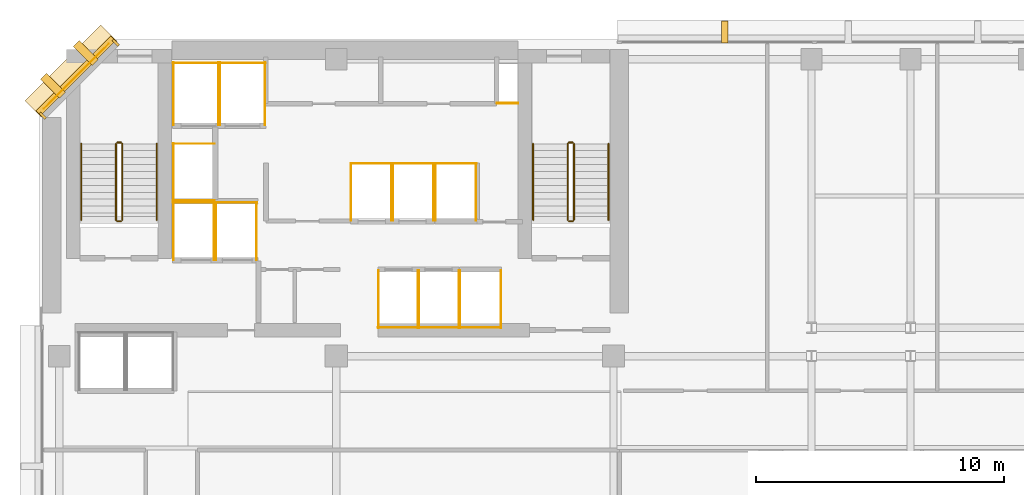
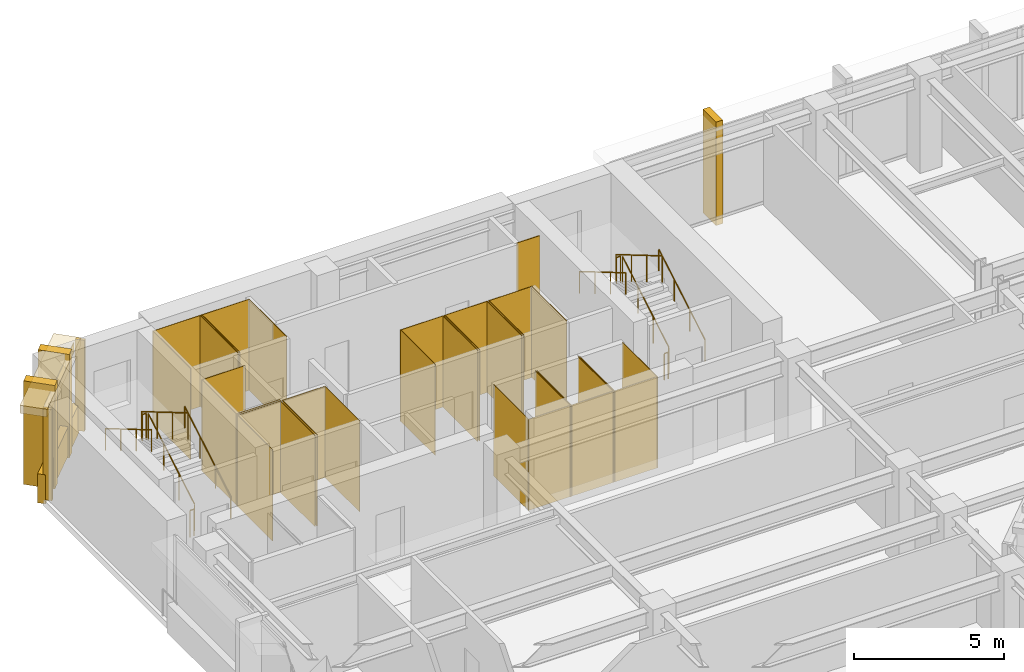
# One storey, part 10 of 11: 42 coverings, 12 railings.
"""IFC4 building model written with IfcOpenShell, lengths in metres."""

from ifc_helpers import new_model, si_unit, direction, frame, origin, origin_2d, place, context, subcontext, project, spatial, polyline, rectangle, circle, outline, extrude, material, layer, layer_set, type_object, element, save


model = new_model("IFC4")

# Units and contexts
model_context = context("Model", 3, precision=1e-05, world=origin(), true_north=direction((0.0, 1.0)))
body_context = subcontext(model_context, "Body", "Model", "MODEL_VIEW")
ifc_project = project(units=[si_unit("LENGTHUNIT", "METRE"), si_unit("AREAUNIT", "SQUARE_METRE"), si_unit("VOLUMEUNIT", "CUBIC_METRE"), si_unit("PLANEANGLEUNIT", "RADIAN"), si_unit("MASSUNIT", "GRAM", prefix="KILO")], contexts=[model_context])

# Site, building, storey
site_placement = place(None, origin())
site = spatial("IfcSite", under=ifc_project, at=site_placement, CompositionType="ELEMENT")
building_placement = place(site_placement, origin())
building = spatial("IfcBuilding", under=site, at=building_placement, Name="Kefirva Bronze Tower", CompositionType="ELEMENT")
storey_placement = place(building_placement, frame((0.0, 0.0, 138.929931640625)))
storey = spatial("IfcBuildingStorey", under=building, at=storey_placement, Name="L33", CompositionType="ELEMENT", Elevation=138.929931640625)

# Coverings
ifc_material_1 = material(Name="Bronze anodised aluminium", Category="aluminium")
ifc_layer_1 = layer(ifc_material_1, 0.02001953125, Name="Bronze anodised aluminium")
ifc_layer_set_1 = layer_set([ifc_layer_1], Name="Bronze anodised aluminium")
covering_type_1 = type_object("IfcCoveringType", Name="Anodised Bronze Spandrel Cladding 20mm", PredefinedType="CLADDING", material=ifc_layer_set_1)
covering_1_placement = place(storey_placement, frame((1.492919921875, 44.507080078125, 3.2900390625), z_axis=(0.0, 0.0, 1.0), x_axis=(-0.707106781187, -0.707106781187, 0.0)))
element("IfcCovering", 1, at=covering_1_placement, inside=storey, type_object=covering_type_1, Name="L33 Bronze Spandrel Cladding 5", PredefinedType="CLADDING", context=body_context, shape_type="SweptSolid", body=[
    extrude(rectangle(XDim=3.719482421875, YDim=0.02001953125, at=origin_2d()), origin(), (0.0, 0.0, 1.0), 0.39990234375),
])
for number, where, z_axis, x_axis, name in (
    (2, (3.08837890625, 45.862060546875, 0.0), (0.0, 0.0, 1.0), (-0.707106781187, -0.707106781187, 0.0), "L33 Facade Joint Closure Panel 5S"),
    (3, (0.137939453125, 42.91162109375, 0.0), (0.0, 0.0, 1.0), (-0.707106781187, -0.707106781187, 0.0), "L33 Facade Joint Closure Panel 5E"),
):
    element("IfcCovering", number, at=place(storey_placement, frame(where, z_axis=z_axis, x_axis=x_axis)), inside=storey, type_object=covering_type_1, Name=name, PredefinedType="CLADDING", context=body_context, shape_type="SweptSolid", body=[
        extrude(rectangle(XDim=0.10009765625, YDim=0.320068359375, at=origin_2d()), origin(), (0.0, 0.0, 1.0), 3.7099609375),
    ])
covering_2_placement = place(storey_placement, frame((1.4716796875, 44.5283203125, -0.15966796875), z_axis=(0.0, 0.0, 1.0), x_axis=(-0.707106781187, -0.707106781187, 0.0)))
element("IfcCovering", 4, at=covering_2_placement, inside=storey, type_object=covering_type_1, Name="L33 Streamline Horizontal Spandrel Band 9", PredefinedType="CLADDING", context=body_context, shape_type="SweptSolid", body=[
    extrude(rectangle(XDim=4.28271484375, YDim=0.280029296875, at=origin_2d()), origin(), (0.0, 0.0, 1.0), 1.179931640625),
])
covering_3_placement = place(storey_placement, origin())
element("IfcCovering", 5, at=covering_3_placement, inside=storey, type_object=covering_type_1, Name="L33 Lift FF1 Hoistway Liner N", PredefinedType="CLADDING", context=body_context, shape_type="SweptSolid", body=[
    extrude(outline(polyline([(5.39990234375, 39.389892578125), (7.080078125, 39.389892578125), (7.080078125, 39.409912109375), (5.39990234375, 39.409912109375), (5.39990234375, 39.389892578125)])), origin(), (0.0, 0.0, 1.0), 3.7099609375),
])
covering_4_placement = place(storey_placement, origin())
element("IfcCovering", 6, at=covering_4_placement, inside=storey, type_object=covering_type_1, Name="L33 Lift FF1 Hoistway Liner W", PredefinedType="CLADDING", context=body_context, shape_type="SweptSolid", body=[
    extrude(outline(polyline([(5.409912109375, 37.080078125), (5.429931640625, 37.080078125), (5.429931640625, 39.419921875), (5.409912109375, 39.419921875), (5.409912109375, 37.080078125)])), origin(), (0.0, 0.0, 1.0), 3.7099609375),
])
covering_5_placement = place(storey_placement, origin())
element("IfcCovering", 7, at=covering_5_placement, inside=storey, type_object=covering_type_1, Name="L33 Lift FF1 Hoistway Liner E", PredefinedType="CLADDING", context=body_context, shape_type="SweptSolid", body=[
    extrude(outline(polyline([(7.050048828125, 37.080078125), (7.070068359375, 37.080078125), (7.070068359375, 39.419921875), (7.050048828125, 39.419921875), (7.050048828125, 37.080078125)])), origin(), (0.0, 0.0, 1.0), 3.7099609375),
])
covering_6_placement = place(storey_placement, origin())
element("IfcCovering", 8, at=covering_6_placement, inside=storey, type_object=covering_type_1, Name="L33 Lift FF2 Hoistway Liner N", PredefinedType="CLADDING", context=body_context, shape_type="SweptSolid", body=[
    extrude(outline(polyline([(7.1201171875, 39.389892578125), (8.800048828125, 39.389892578125), (8.800048828125, 39.409912109375), (7.1201171875, 39.409912109375), (7.1201171875, 39.389892578125)])), origin(), (0.0, 0.0, 1.0), 3.7099609375),
])
covering_7_placement = place(storey_placement, origin())
element("IfcCovering", 9, at=covering_7_placement, inside=storey, type_object=covering_type_1, Name="L33 Lift FF2 Hoistway Liner W", PredefinedType="CLADDING", context=body_context, shape_type="SweptSolid", body=[
    extrude(outline(polyline([(7.1298828125, 37.080078125), (7.14990234375, 37.080078125), (7.14990234375, 39.419921875), (7.1298828125, 39.419921875), (7.1298828125, 37.080078125)])), origin(), (0.0, 0.0, 1.0), 3.7099609375),
])
covering_8_placement = place(storey_placement, origin())
element("IfcCovering", 10, at=covering_8_placement, inside=storey, type_object=covering_type_1, Name="L33 Lift FF2 Hoistway Liner E", PredefinedType="CLADDING", context=body_context, shape_type="SweptSolid", body=[
    extrude(outline(polyline([(8.77001953125, 37.080078125), (8.7900390625, 37.080078125), (8.7900390625, 39.419921875), (8.77001953125, 39.419921875), (8.77001953125, 37.080078125)])), origin(), (0.0, 0.0, 1.0), 3.7099609375),
])
covering_9_placement = place(storey_placement, origin())
element("IfcCovering", 11, at=covering_9_placement, inside=storey, type_object=covering_type_1, Name="L33 Lift SV1 Hoistway Liner N", PredefinedType="CLADDING", context=body_context, shape_type="SweptSolid", body=[
    extrude(outline(polyline([(5.39990234375, 45.0400390625), (7.260009765625, 45.0400390625), (7.260009765625, 45.06005859375), (5.39990234375, 45.06005859375), (5.39990234375, 45.0400390625)])), origin(), (0.0, 0.0, 1.0), 3.7099609375),
])
covering_10_placement = place(storey_placement, origin())
element("IfcCovering", 12, at=covering_10_placement, inside=storey, type_object=covering_type_1, Name="L33 Lift SV1 Hoistway Liner W", PredefinedType="CLADDING", context=body_context, shape_type="SweptSolid", body=[
    extrude(outline(polyline([(5.409912109375, 42.530029296875), (5.429931640625, 42.530029296875), (5.429931640625, 45.070068359375), (5.409912109375, 45.070068359375), (5.409912109375, 42.530029296875)])), origin(), (0.0, 0.0, 1.0), 3.7099609375),
])
covering_11_placement = place(storey_placement, origin())
element("IfcCovering", 13, at=covering_11_placement, inside=storey, type_object=covering_type_1, Name="L33 Lift SV1 Hoistway Liner E", PredefinedType="CLADDING", context=body_context, shape_type="SweptSolid", body=[
    extrude(outline(polyline([(7.22998046875, 42.530029296875), (7.25, 42.530029296875), (7.25, 45.070068359375), (7.22998046875, 45.070068359375), (7.22998046875, 42.530029296875)])), origin(), (0.0, 0.0, 1.0), 3.7099609375),
])
covering_12_placement = place(storey_placement, origin())
element("IfcCovering", 14, at=covering_12_placement, inside=storey, type_object=covering_type_1, Name="L33 Lift SV2 Hoistway Liner N", PredefinedType="CLADDING", context=body_context, shape_type="SweptSolid", body=[
    extrude(outline(polyline([(7.280029296875, 45.0400390625), (9.139892578125, 45.0400390625), (9.139892578125, 45.06005859375), (7.280029296875, 45.06005859375), (7.280029296875, 45.0400390625)])), origin(), (0.0, 0.0, 1.0), 3.7099609375),
])
covering_13_placement = place(storey_placement, origin())
element("IfcCovering", 15, at=covering_13_placement, inside=storey, type_object=covering_type_1, Name="L33 Lift SV2 Hoistway Liner W", PredefinedType="CLADDING", context=body_context, shape_type="SweptSolid", body=[
    extrude(outline(polyline([(7.2900390625, 42.530029296875), (7.31005859375, 42.530029296875), (7.31005859375, 45.070068359375), (7.2900390625, 45.070068359375), (7.2900390625, 42.530029296875)])), origin(), (0.0, 0.0, 1.0), 3.7099609375),
])
covering_14_placement = place(storey_placement, origin())
element("IfcCovering", 16, at=covering_14_placement, inside=storey, type_object=covering_type_1, Name="L33 Lift SV2 Hoistway Liner E", PredefinedType="CLADDING", context=body_context, shape_type="SweptSolid", body=[
    extrude(outline(polyline([(9.110107421875, 42.530029296875), (9.1298828125, 42.530029296875), (9.1298828125, 45.070068359375), (9.110107421875, 45.070068359375), (9.110107421875, 42.530029296875)])), origin(), (0.0, 0.0, 1.0), 3.7099609375),
])
covering_15_placement = place(storey_placement, origin())
element("IfcCovering", 17, at=covering_15_placement, inside=storey, type_object=covering_type_1, Name="L33 Lift MP1 Hoistway Liner S", PredefinedType="CLADDING", context=body_context, shape_type="SweptSolid", body=[
    extrude(outline(polyline([(13.679931640625, 34.340087890625), (15.320068359375, 34.340087890625), (15.320068359375, 34.360107421875), (13.679931640625, 34.360107421875), (13.679931640625, 34.340087890625)])), origin(), (0.0, 0.0, 1.0), 3.7099609375),
])
covering_16_placement = place(storey_placement, origin())
element("IfcCovering", 18, at=covering_16_placement, inside=storey, type_object=covering_type_1, Name="L33 Lift MP1 Hoistway Liner W", PredefinedType="CLADDING", context=body_context, shape_type="SweptSolid", body=[
    extrude(outline(polyline([(13.68994140625, 34.330078125), (13.7099609375, 34.330078125), (13.7099609375, 36.669921875), (13.68994140625, 36.669921875), (13.68994140625, 34.330078125)])), origin(), (0.0, 0.0, 1.0), 3.7099609375),
])
covering_17_placement = place(storey_placement, origin())
element("IfcCovering", 19, at=covering_17_placement, inside=storey, type_object=covering_type_1, Name="L33 Lift MP1 Hoistway Liner E", PredefinedType="CLADDING", context=body_context, shape_type="SweptSolid", body=[
    extrude(outline(polyline([(15.2900390625, 34.330078125), (15.31005859375, 34.330078125), (15.31005859375, 36.669921875), (15.2900390625, 36.669921875), (15.2900390625, 34.330078125)])), origin(), (0.0, 0.0, 1.0), 3.7099609375),
])
covering_18_placement = place(storey_placement, origin())
element("IfcCovering", 20, at=covering_18_placement, inside=storey, type_object=covering_type_1, Name="L33 Lift MP2 Hoistway Liner S", PredefinedType="CLADDING", context=body_context, shape_type="SweptSolid", body=[
    extrude(outline(polyline([(15.330078125, 34.340087890625), (16.969970703125, 34.340087890625), (16.969970703125, 34.360107421875), (15.330078125, 34.360107421875), (15.330078125, 34.340087890625)])), origin(), (0.0, 0.0, 1.0), 3.7099609375),
])
covering_19_placement = place(storey_placement, origin())
element("IfcCovering", 21, at=covering_19_placement, inside=storey, type_object=covering_type_1, Name="L33 Lift MP2 Hoistway Liner W", PredefinedType="CLADDING", context=body_context, shape_type="SweptSolid", body=[
    extrude(outline(polyline([(15.340087890625, 34.330078125), (15.360107421875, 34.330078125), (15.360107421875, 36.669921875), (15.340087890625, 36.669921875), (15.340087890625, 34.330078125)])), origin(), (0.0, 0.0, 1.0), 3.7099609375),
])
covering_20_placement = place(storey_placement, origin())
element("IfcCovering", 22, at=covering_20_placement, inside=storey, type_object=covering_type_1, Name="L33 Lift MP2 Hoistway Liner E", PredefinedType="CLADDING", context=body_context, shape_type="SweptSolid", body=[
    extrude(outline(polyline([(16.93994140625, 34.330078125), (16.9599609375, 34.330078125), (16.9599609375, 36.669921875), (16.93994140625, 36.669921875), (16.93994140625, 34.330078125)])), origin(), (0.0, 0.0, 1.0), 3.7099609375),
])
covering_21_placement = place(storey_placement, origin())
element("IfcCovering", 23, at=covering_21_placement, inside=storey, type_object=covering_type_1, Name="L33 Lift MP3 Hoistway Liner N", PredefinedType="CLADDING", context=body_context, shape_type="SweptSolid", body=[
    extrude(outline(polyline([(12.580078125, 40.969970703125), (14.25, 40.969970703125), (14.25, 40.989990234375), (12.580078125, 40.989990234375), (12.580078125, 40.969970703125)])), origin(), (0.0, 0.0, 1.0), 3.7099609375),
])
covering_22_placement = place(storey_placement, origin())
element("IfcCovering", 24, at=covering_22_placement, inside=storey, type_object=covering_type_1, Name="L33 Lift MP3 Hoistway Liner W", PredefinedType="CLADDING", context=body_context, shape_type="SweptSolid", body=[
    extrude(outline(polyline([(12.590087890625, 38.659912109375), (12.610107421875, 38.659912109375), (12.610107421875, 41.0), (12.590087890625, 41.0), (12.590087890625, 38.659912109375)])), origin(), (0.0, 0.0, 1.0), 3.7099609375),
])
covering_23_placement = place(storey_placement, origin())
element("IfcCovering", 25, at=covering_23_placement, inside=storey, type_object=covering_type_1, Name="L33 Lift MP3 Hoistway Liner E", PredefinedType="CLADDING", context=body_context, shape_type="SweptSolid", body=[
    extrude(outline(polyline([(14.219970703125, 38.659912109375), (14.239990234375, 38.659912109375), (14.239990234375, 41.0), (14.219970703125, 41.0), (14.219970703125, 38.659912109375)])), origin(), (0.0, 0.0, 1.0), 3.7099609375),
])
covering_24_placement = place(storey_placement, origin())
element("IfcCovering", 26, at=covering_24_placement, inside=storey, type_object=covering_type_1, Name="L33 Lift MP4 Hoistway Liner N", PredefinedType="CLADDING", context=body_context, shape_type="SweptSolid", body=[
    extrude(outline(polyline([(14.280029296875, 40.969970703125), (15.949951171875, 40.969970703125), (15.949951171875, 40.989990234375), (14.280029296875, 40.989990234375), (14.280029296875, 40.969970703125)])), origin(), (0.0, 0.0, 1.0), 3.7099609375),
])
covering_25_placement = place(storey_placement, origin())
element("IfcCovering", 27, at=covering_25_placement, inside=storey, type_object=covering_type_1, Name="L33 Lift MP4 Hoistway Liner W", PredefinedType="CLADDING", context=body_context, shape_type="SweptSolid", body=[
    extrude(outline(polyline([(14.2900390625, 38.659912109375), (14.31005859375, 38.659912109375), (14.31005859375, 41.0), (14.2900390625, 41.0), (14.2900390625, 38.659912109375)])), origin(), (0.0, 0.0, 1.0), 3.7099609375),
])
covering_26_placement = place(storey_placement, origin())
element("IfcCovering", 28, at=covering_26_placement, inside=storey, type_object=covering_type_1, Name="L33 Lift MP4 Hoistway Liner E", PredefinedType="CLADDING", context=body_context, shape_type="SweptSolid", body=[
    extrude(outline(polyline([(15.919921875, 38.659912109375), (15.93994140625, 38.659912109375), (15.93994140625, 41.0), (15.919921875, 41.0), (15.919921875, 38.659912109375)])), origin(), (0.0, 0.0, 1.0), 3.7099609375),
])
covering_27_placement = place(storey_placement, origin())
element("IfcCovering", 29, at=covering_27_placement, inside=storey, type_object=covering_type_1, Name="L33 Lift HP1 Hoistway Liner S", PredefinedType="CLADDING", context=body_context, shape_type="SweptSolid", body=[
    extrude(outline(polyline([(16.97998046875, 34.340087890625), (18.669921875, 34.340087890625), (18.669921875, 34.360107421875), (16.97998046875, 34.360107421875), (16.97998046875, 34.340087890625)])), origin(), (0.0, 0.0, 1.0), 3.7099609375),
])
covering_28_placement = place(storey_placement, origin())
element("IfcCovering", 30, at=covering_28_placement, inside=storey, type_object=covering_type_1, Name="L33 Lift HP1 Hoistway Liner W", PredefinedType="CLADDING", context=body_context, shape_type="SweptSolid", body=[
    extrude(outline(polyline([(16.989990234375, 34.330078125), (17.010009765625, 34.330078125), (17.010009765625, 36.669921875), (16.989990234375, 36.669921875), (16.989990234375, 34.330078125)])), origin(), (0.0, 0.0, 1.0), 3.7099609375),
])
covering_29_placement = place(storey_placement, origin())
element("IfcCovering", 31, at=covering_29_placement, inside=storey, type_object=covering_type_1, Name="L33 Lift HP1 Hoistway Liner E", PredefinedType="CLADDING", context=body_context, shape_type="SweptSolid", body=[
    extrude(outline(polyline([(18.639892578125, 34.330078125), (18.659912109375, 34.330078125), (18.659912109375, 36.669921875), (18.639892578125, 36.669921875), (18.639892578125, 34.330078125)])), origin(), (0.0, 0.0, 1.0), 3.7099609375),
])
covering_30_placement = place(storey_placement, origin())
element("IfcCovering", 32, at=covering_30_placement, inside=storey, type_object=covering_type_1, Name="L33 Lift HP2 Hoistway Liner N", PredefinedType="CLADDING", context=body_context, shape_type="SweptSolid", body=[
    extrude(outline(polyline([(15.97998046875, 40.969970703125), (17.669921875, 40.969970703125), (17.669921875, 40.989990234375), (15.97998046875, 40.989990234375), (15.97998046875, 40.969970703125)])), origin(), (0.0, 0.0, 1.0), 3.7099609375),
])
covering_31_placement = place(storey_placement, origin())
element("IfcCovering", 33, at=covering_31_placement, inside=storey, type_object=covering_type_1, Name="L33 Lift HP2 Hoistway Liner W", PredefinedType="CLADDING", context=body_context, shape_type="SweptSolid", body=[
    extrude(outline(polyline([(15.989990234375, 38.659912109375), (16.010009765625, 38.659912109375), (16.010009765625, 41.0), (15.989990234375, 41.0), (15.989990234375, 38.659912109375)])), origin(), (0.0, 0.0, 1.0), 3.7099609375),
])
covering_32_placement = place(storey_placement, origin())
element("IfcCovering", 34, at=covering_32_placement, inside=storey, type_object=covering_type_1, Name="L33 Lift HP2 Hoistway Liner E", PredefinedType="CLADDING", context=body_context, shape_type="SweptSolid", body=[
    extrude(outline(polyline([(17.639892578125, 38.659912109375), (17.659912109375, 38.659912109375), (17.659912109375, 41.0), (17.639892578125, 41.0), (17.639892578125, 38.659912109375)])), origin(), (0.0, 0.0, 1.0), 3.7099609375),
])
covering_33_placement = place(storey_placement, origin())
element("IfcCovering", 35, at=covering_33_placement, inside=storey, type_object=covering_type_1, Name="L33 Lift HP3 Hoistway Liner N", PredefinedType="CLADDING", context=body_context, shape_type="SweptSolid", body=[
    extrude(outline(polyline([(5.39990234375, 41.77001953125), (7.080078125, 41.77001953125), (7.080078125, 41.7900390625), (5.39990234375, 41.7900390625), (5.39990234375, 41.77001953125)])), origin(), (0.0, 0.0, 1.0), 3.7099609375),
])
covering_34_placement = place(storey_placement, origin())
element("IfcCovering", 36, at=covering_34_placement, inside=storey, type_object=covering_type_1, Name="L33 Lift HP3 Hoistway Liner S", PredefinedType="CLADDING", context=body_context, shape_type="SweptSolid", body=[
    extrude(outline(polyline([(5.39990234375, 39.469970703125), (7.080078125, 39.469970703125), (7.080078125, 39.489990234375), (5.39990234375, 39.489990234375), (5.39990234375, 39.469970703125)])), origin(), (0.0, 0.0, 1.0), 3.7099609375),
])
covering_35_placement = place(storey_placement, origin())
element("IfcCovering", 37, at=covering_35_placement, inside=storey, type_object=covering_type_1, Name="L33 Lift HP3 Hoistway Liner W", PredefinedType="CLADDING", context=body_context, shape_type="SweptSolid", body=[
    extrude(outline(polyline([(5.409912109375, 39.4599609375), (5.429931640625, 39.4599609375), (5.429931640625, 41.800048828125), (5.409912109375, 41.800048828125), (5.409912109375, 39.4599609375)])), origin(), (0.0, 0.0, 1.0), 3.7099609375),
])
covering_36_placement = place(storey_placement, origin())
element("IfcCovering", 38, at=covering_36_placement, inside=storey, type_object=covering_type_1, Name="L33 Core MEP Riser Shaft Liner South", PredefinedType="CLADDING", context=body_context, shape_type="SweptSolid", body=[
    extrude(outline(polyline([(18.47998046875, 43.39990234375), (19.360107421875, 43.39990234375), (19.360107421875, 43.429931640625), (18.47998046875, 43.429931640625), (18.47998046875, 43.39990234375)])), origin(), (0.0, 0.0, 1.0), 3.7099609375),
])

# Railings
ifc_material_2 = material(Name="Stainless steel 316", Category="steel")
railing_type_1 = type_object("IfcRailingType", Name="Interior Stair Guardrail 1100mm", PredefinedType="GUARDRAIL", material=ifc_material_2)
railing_1_placement = place(storey_placement, frame((3.35009765625, 38.699951171875, 0.1650390625)))
element("IfcRailing", 39, at=railing_1_placement, inside=storey, type_object=railing_type_1, Name="L33 ST-1 stair guard 1", PredefinedType="GUARDRAIL", context=body_context, shape_type="SweptSolid", body=[
    extrude(circle(Radius=0.02392578125, at=origin_2d()), frame((0.0, 0.0, 1.076171875), z_axis=(0.0, 0.861551262678, 0.507670583921), x_axis=(-1.0, 0.0, 0.0)), (0.0, 0.0, 1.0), 3.574951171875),
    extrude(circle(Radius=0.02099609375, at=origin_2d()), origin(), (0.0, 0.0, 1.0), 1.052001953125),
    extrude(circle(Radius=0.02099609375, at=origin_2d()), frame((0.0, 1.026611328125, 0.60498046875)), (0.0, 0.0, 1.0), 1.052001953125),
    extrude(circle(Radius=0.02099609375, at=origin_2d()), frame((0.0, 2.053466796875, 1.2099609375)), (0.0, 0.0, 1.0), 1.052001953125),
    extrude(circle(Radius=0.02099609375, at=origin_2d()), frame((0.0, 3.080078125, 1.81494140625)), (0.0, 0.0, 1.0), 1.052001953125),
])
railing_2_placement = place(storey_placement, frame((3.300048828125, 41.830078125, 1.97998046875)))
element("IfcRailing", 40, at=railing_2_placement, inside=storey, type_object=railing_type_1, Name="L33 ST-1 stair guard 2", PredefinedType="GUARDRAIL", context=body_context, shape_type="SweptSolid", body=[
    extrude(circle(Radius=0.02392578125, at=origin_2d()), frame((0.0, 0.0, 1.076171875), z_axis=(-1.0, 0.0, 0.0), x_axis=(0.0, -1.0, 0.0)), (0.0, 0.0, 1.0), 0.150146484375),
    extrude(circle(Radius=0.02099609375, at=origin_2d()), origin(), (0.0, 0.0, 1.0), 1.052001953125),
    extrude(circle(Radius=0.02099609375, at=origin_2d()), frame((-0.150146484375, 0.0, 0.0)), (0.0, 0.0, 1.0), 1.052001953125),
])
railing_3_placement = place(storey_placement, frame((3.10009765625, 41.780029296875, 2.14501953125)))
element("IfcRailing", 41, at=railing_3_placement, inside=storey, type_object=railing_type_1, Name="L33 ST-1 stair guard 3", PredefinedType="GUARDRAIL", context=body_context, shape_type="SweptSolid", body=[
    extrude(circle(Radius=0.02392578125, at=origin_2d()), frame((0.0, 0.0, 1.076171875), z_axis=(0.0, -0.861551262678, 0.507670583921), x_axis=(1.0, 0.0, 0.0)), (0.0, 0.0, 1.0), 3.574951171875),
    extrude(circle(Radius=0.02099609375, at=origin_2d()), origin(), (0.0, 0.0, 1.0), 1.052001953125),
    extrude(circle(Radius=0.02099609375, at=origin_2d()), frame((0.0, -1.026611328125, 0.60498046875)), (0.0, 0.0, 1.0), 1.052001953125),
    extrude(circle(Radius=0.02099609375, at=origin_2d()), frame((0.0, -2.053466796875, 1.2099609375)), (0.0, 0.0, 1.0), 1.052001953125),
    extrude(circle(Radius=0.02099609375, at=origin_2d()), frame((0.0, -3.080078125, 1.81494140625)), (0.0, 0.0, 1.0), 1.052001953125),
])
railing_4_placement = place(storey_placement, frame((3.300048828125, 38.64990234375, 0.0)))
element("IfcRailing", 42, at=railing_4_placement, inside=storey, type_object=railing_type_1, Name="L33 ST-1 stair guard 4", PredefinedType="GUARDRAIL", context=body_context, shape_type="SweptSolid", body=[
    extrude(circle(Radius=0.02392578125, at=origin_2d()), frame((0.0, 0.0, 1.076171875), z_axis=(-1.0, 0.0, 0.0), x_axis=(0.0, -1.0, 0.0)), (0.0, 0.0, 1.0), 0.150146484375),
    extrude(circle(Radius=0.02099609375, at=origin_2d()), origin(), (0.0, 0.0, 1.0), 1.052001953125),
    extrude(circle(Radius=0.02099609375, at=origin_2d()), frame((-0.150146484375, 0.0, 0.0)), (0.0, 0.0, 1.0), 1.052001953125),
])
railing_5_placement = place(storey_placement, frame((21.60009765625, 38.699951171875, 0.1650390625)))
element("IfcRailing", 43, at=railing_5_placement, inside=storey, type_object=railing_type_1, Name="L33 ST-2 stair guard 1", PredefinedType="GUARDRAIL", context=body_context, shape_type="SweptSolid", body=[
    extrude(circle(Radius=0.02392578125, at=origin_2d()), frame((0.0, 0.0, 1.076171875), z_axis=(0.0, 0.861551262678, 0.507670583921), x_axis=(-1.0, 0.0, 0.0)), (0.0, 0.0, 1.0), 3.574951171875),
    extrude(circle(Radius=0.02099609375, at=origin_2d()), origin(), (0.0, 0.0, 1.0), 1.052001953125),
    extrude(circle(Radius=0.02099609375, at=origin_2d()), frame((0.0, 1.026611328125, 0.60498046875)), (0.0, 0.0, 1.0), 1.052001953125),
    extrude(circle(Radius=0.02099609375, at=origin_2d()), frame((0.0, 2.053466796875, 1.2099609375)), (0.0, 0.0, 1.0), 1.052001953125),
    extrude(circle(Radius=0.02099609375, at=origin_2d()), frame((0.0, 3.080078125, 1.81494140625)), (0.0, 0.0, 1.0), 1.052001953125),
])
railing_6_placement = place(storey_placement, frame((21.550048828125, 41.830078125, 1.97998046875)))
element("IfcRailing", 44, at=railing_6_placement, inside=storey, type_object=railing_type_1, Name="L33 ST-2 stair guard 2", PredefinedType="GUARDRAIL", context=body_context, shape_type="SweptSolid", body=[
    extrude(circle(Radius=0.02392578125, at=origin_2d()), frame((0.0, 0.0, 1.076171875), z_axis=(-1.0, 0.0, 0.0), x_axis=(0.0, -1.0, 0.0)), (0.0, 0.0, 1.0), 0.150146484375),
    extrude(circle(Radius=0.02099609375, at=origin_2d()), origin(), (0.0, 0.0, 1.0), 1.052001953125),
    extrude(circle(Radius=0.02099609375, at=origin_2d()), frame((-0.150146484375, 0.0, 0.0)), (0.0, 0.0, 1.0), 1.052001953125),
])
railing_7_placement = place(storey_placement, frame((21.35009765625, 41.780029296875, 2.14501953125)))
element("IfcRailing", 45, at=railing_7_placement, inside=storey, type_object=railing_type_1, Name="L33 ST-2 stair guard 3", PredefinedType="GUARDRAIL", context=body_context, shape_type="SweptSolid", body=[
    extrude(circle(Radius=0.02392578125, at=origin_2d()), frame((0.0, 0.0, 1.076171875), z_axis=(0.0, -0.861551262678, 0.507670583921), x_axis=(1.0, 0.0, 0.0)), (0.0, 0.0, 1.0), 3.574951171875),
    extrude(circle(Radius=0.02099609375, at=origin_2d()), origin(), (0.0, 0.0, 1.0), 1.052001953125),
    extrude(circle(Radius=0.02099609375, at=origin_2d()), frame((0.0, -1.026611328125, 0.60498046875)), (0.0, 0.0, 1.0), 1.052001953125),
    extrude(circle(Radius=0.02099609375, at=origin_2d()), frame((0.0, -2.053466796875, 1.2099609375)), (0.0, 0.0, 1.0), 1.052001953125),
    extrude(circle(Radius=0.02099609375, at=origin_2d()), frame((0.0, -3.080078125, 1.81494140625)), (0.0, 0.0, 1.0), 1.052001953125),
])
railing_8_placement = place(storey_placement, frame((21.550048828125, 38.64990234375, 0.0)))
element("IfcRailing", 46, at=railing_8_placement, inside=storey, type_object=railing_type_1, Name="L33 ST-2 stair guard 4", PredefinedType="GUARDRAIL", context=body_context, shape_type="SweptSolid", body=[
    extrude(circle(Radius=0.02392578125, at=origin_2d()), frame((0.0, 0.0, 1.076171875), z_axis=(-1.0, 0.0, 0.0), x_axis=(0.0, -1.0, 0.0)), (0.0, 0.0, 1.0), 0.150146484375),
    extrude(circle(Radius=0.02099609375, at=origin_2d()), origin(), (0.0, 0.0, 1.0), 1.052001953125),
    extrude(circle(Radius=0.02099609375, at=origin_2d()), frame((-0.150146484375, 0.0, 0.0)), (0.0, 0.0, 1.0), 1.052001953125),
])
railing_type_2 = type_object("IfcRailingType", Name="Stair Pitch Handrail 900mm", PredefinedType="HANDRAIL", material=ifc_material_2)
railing_9_placement = place(storey_placement, frame((4.75, 38.699951171875, 0.1650390625)))
element("IfcRailing", 47, at=railing_9_placement, inside=storey, type_object=railing_type_2, Name="L33 ST-1 stair handrail 1", PredefinedType="HANDRAIL", context=body_context, shape_type="SweptSolid", body=[
    extrude(circle(Radius=0.02392578125, at=origin_2d()), frame((0.0, 0.0, 0.8759765625), z_axis=(0.0, 0.861551262678, 0.507670583921), x_axis=(-1.0, 0.0, 0.0)), (0.0, 0.0, 1.0), 3.574951171875),
    extrude(circle(Radius=0.02099609375, at=origin_2d()), origin(), (0.0, 0.0, 1.0), 0.851806640625),
    extrude(circle(Radius=0.02099609375, at=origin_2d()), frame((0.0, 1.026611328125, 0.60498046875)), (0.0, 0.0, 1.0), 0.851806640625),
    extrude(circle(Radius=0.02099609375, at=origin_2d()), frame((0.0, 2.053466796875, 1.2099609375)), (0.0, 0.0, 1.0), 0.851806640625),
    extrude(circle(Radius=0.02099609375, at=origin_2d()), frame((0.0, 3.080078125, 1.81494140625)), (0.0, 0.0, 1.0), 0.851806640625),
])
railing_10_placement = place(storey_placement, frame((1.699951171875, 41.780029296875, 2.14501953125)))
element("IfcRailing", 48, at=railing_10_placement, inside=storey, type_object=railing_type_2, Name="L33 ST-1 stair handrail 2", PredefinedType="HANDRAIL", context=body_context, shape_type="SweptSolid", body=[
    extrude(circle(Radius=0.02392578125, at=origin_2d()), frame((0.0, 0.0, 0.8759765625), z_axis=(0.0, -0.861551262678, 0.507670583921), x_axis=(1.0, 0.0, 0.0)), (0.0, 0.0, 1.0), 3.574951171875),
    extrude(circle(Radius=0.02099609375, at=origin_2d()), origin(), (0.0, 0.0, 1.0), 0.851806640625),
    extrude(circle(Radius=0.02099609375, at=origin_2d()), frame((0.0, -1.026611328125, 0.60498046875)), (0.0, 0.0, 1.0), 0.851806640625),
    extrude(circle(Radius=0.02099609375, at=origin_2d()), frame((0.0, -2.053466796875, 1.2099609375)), (0.0, 0.0, 1.0), 0.851806640625),
    extrude(circle(Radius=0.02099609375, at=origin_2d()), frame((0.0, -3.080078125, 1.81494140625)), (0.0, 0.0, 1.0), 0.851806640625),
])
railing_11_placement = place(storey_placement, frame((23.0, 38.699951171875, 0.1650390625)))
element("IfcRailing", 49, at=railing_11_placement, inside=storey, type_object=railing_type_2, Name="L33 ST-2 stair handrail 1", PredefinedType="HANDRAIL", context=body_context, shape_type="SweptSolid", body=[
    extrude(circle(Radius=0.02392578125, at=origin_2d()), frame((0.0, 0.0, 0.8759765625), z_axis=(0.0, 0.861551262678, 0.507670583921), x_axis=(-1.0, 0.0, 0.0)), (0.0, 0.0, 1.0), 3.574951171875),
    extrude(circle(Radius=0.02099609375, at=origin_2d()), origin(), (0.0, 0.0, 1.0), 0.851806640625),
    extrude(circle(Radius=0.02099609375, at=origin_2d()), frame((0.0, 1.026611328125, 0.60498046875)), (0.0, 0.0, 1.0), 0.851806640625),
    extrude(circle(Radius=0.02099609375, at=origin_2d()), frame((0.0, 2.053466796875, 1.2099609375)), (0.0, 0.0, 1.0), 0.851806640625),
    extrude(circle(Radius=0.02099609375, at=origin_2d()), frame((0.0, 3.080078125, 1.81494140625)), (0.0, 0.0, 1.0), 0.851806640625),
])
railing_12_placement = place(storey_placement, frame((19.949951171875, 41.780029296875, 2.14501953125)))
element("IfcRailing", 50, at=railing_12_placement, inside=storey, type_object=railing_type_2, Name="L33 ST-2 stair handrail 2", PredefinedType="HANDRAIL", context=body_context, shape_type="SweptSolid", body=[
    extrude(circle(Radius=0.02392578125, at=origin_2d()), frame((0.0, 0.0, 0.8759765625), z_axis=(0.0, -0.861551262678, 0.507670583921), x_axis=(1.0, 0.0, 0.0)), (0.0, 0.0, 1.0), 3.574951171875),
    extrude(circle(Radius=0.02099609375, at=origin_2d()), origin(), (0.0, 0.0, 1.0), 0.851806640625),
    extrude(circle(Radius=0.02099609375, at=origin_2d()), frame((0.0, -1.026611328125, 0.60498046875)), (0.0, 0.0, 1.0), 0.851806640625),
    extrude(circle(Radius=0.02099609375, at=origin_2d()), frame((0.0, -2.053466796875, 1.2099609375)), (0.0, 0.0, 1.0), 0.851806640625),
    extrude(circle(Radius=0.02099609375, at=origin_2d()), frame((0.0, -3.080078125, 1.81494140625)), (0.0, 0.0, 1.0), 0.851806640625),
])

# Coverings
ifc_layer_2 = layer(ifc_material_1, 0.179931640625, Name="Bronze anodised aluminium")
ifc_layer_set_2 = layer_set([ifc_layer_2], Name="Bronze anodised aluminium")
covering_type_2 = type_object("IfcCoveringType", Name="Streamline Bronze Sunshade Eyebrow Cladding 180mm", PredefinedType="CLADDING", material=ifc_layer_set_2)
covering_37_placement = place(storey_placement, frame((1.28076171875, 44.71923828125, 3.39013671875), z_axis=(0.0, 0.0, 1.0), x_axis=(-0.707106781187, -0.707106781187, 0.0)))
element("IfcCovering", 51, at=covering_37_placement, inside=storey, type_object=covering_type_2, Name="L33 Streamline Bronze Sunshade Eyebrow 9", PredefinedType="CLADDING", context=body_context, shape_type="SweptSolid", body=[
    extrude(rectangle(XDim=4.322509765625, YDim=0.93994140625, at=origin_2d()), origin(), (0.0, 0.0, 1.0), 0.320068359375),
])
ifc_layer_3 = layer(ifc_material_1, 0.260009765625, Name="Bronze anodised aluminium")
ifc_layer_set_3 = layer_set([ifc_layer_3], Name="Bronze anodised aluminium")
covering_type_3 = type_object("IfcCoveringType", Name="Unbroken Bronze Buttress Fin Cladding 260mm", PredefinedType="CLADDING", material=ifc_layer_set_3)
covering_38_placement = place(storey_placement, frame((27.68798828125, 46.300048828125, -0.25), z_axis=(0.0, 0.0, 1.0), x_axis=(-1.0, 0.0, 0.0)))
element("IfcCovering", 52, at=covering_38_placement, inside=storey, type_object=covering_type_3, Name="L33 Unbroken Vertical Bronze Rib Fin 20", PredefinedType="CLADDING", context=body_context, shape_type="SweptSolid", body=[
    extrude(rectangle(XDim=0.260009765625, YDim=0.8798828125, at=origin_2d()), origin(), (0.0, 0.0, 1.0), 4.2099609375),
])
for number, where, z_axis, x_axis, name in (
    (53, (1.877197265625, 45.44287109375, -0.25), (0.0, 0.0, 1.0), (-0.707106781187, -0.707106781187, 0.0), "L33 Chamfered Corner Buttress Fin Cladding 21"),
    (54, (0.55712890625, 44.122802734375, -0.25), (0.0, 0.0, 1.0), (-0.707106781187, -0.707106781187, 0.0), "L33 Chamfered Corner Buttress Fin Cladding 22"),
):
    element("IfcCovering", number, at=place(storey_placement, frame(where, z_axis=z_axis, x_axis=x_axis)), inside=storey, type_object=covering_type_3, Name=name, PredefinedType="CLADDING", context=body_context, shape_type="SweptSolid", body=[
        extrude(rectangle(XDim=0.340087890625, YDim=1.080078125, at=origin_2d()), origin(), (0.0, 0.0, 1.0), 4.2099609375),
    ])

save(model, "model.ifc")
